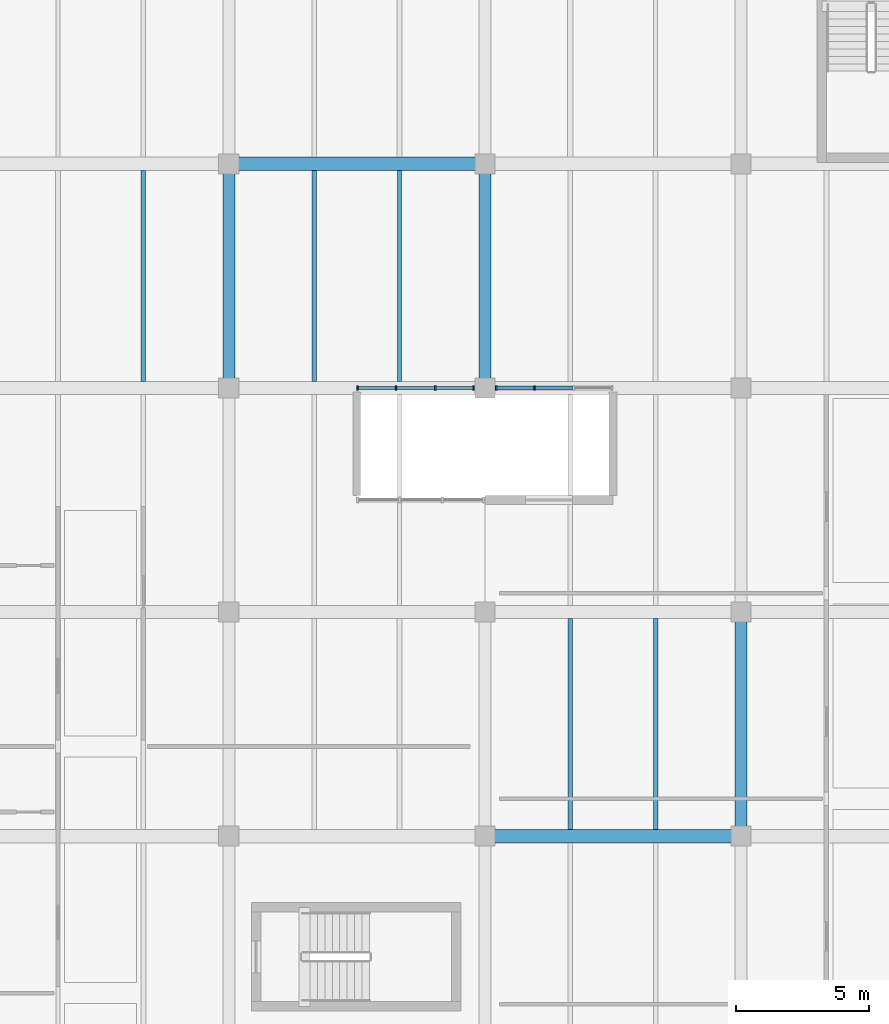
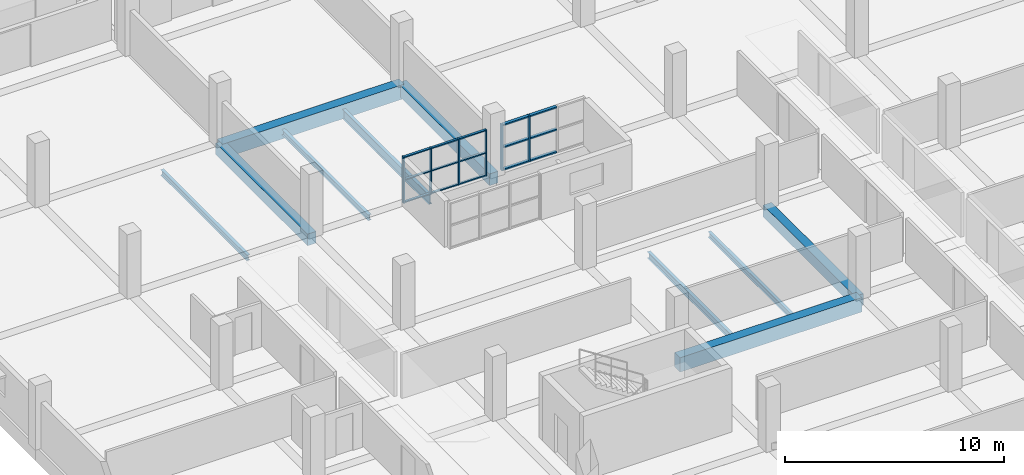
# One storey, part 33 of 147: 21 members, 10 beams, 2 elements without a shape of their own.
"""IFC4 building model written with IfcOpenShell, lengths in metres."""

from ifc_helpers import new_model, si_unit, direction, frame, origin, origin_2d, place, context, subcontext, project, spatial, rectangle, i_section, extrude, material, material_profile, profile_set, type_object, element, aggregate, save


model = new_model("IFC4")

# Units and contexts
model_context = context("Model", 3, precision=1e-05, world=origin(), true_north=direction((0.0, 1.0)))
body_context = subcontext(model_context, "Body", "Model", "MODEL_VIEW")
ifc_project = project(units=[si_unit("LENGTHUNIT", "METRE"), si_unit("AREAUNIT", "SQUARE_METRE"), si_unit("VOLUMEUNIT", "CUBIC_METRE"), si_unit("PLANEANGLEUNIT", "RADIAN"), si_unit("MASSUNIT", "GRAM", prefix="KILO")], contexts=[model_context])

# Site, building, storey
site_placement = place(None, origin())
site = spatial("IfcSite", under=ifc_project, at=site_placement, CompositionType="ELEMENT")
building_placement = place(site_placement, origin())
building = spatial("IfcBuilding", under=site, at=building_placement, Name="Oolite Switchyard Hospital", CompositionType="ELEMENT")
storey_placement = place(building_placement, frame((0.0, 0.0, 9.89990234375)))
storey = spatial("IfcBuildingStorey", under=building, at=storey_placement, Name="L02", CompositionType="ELEMENT", Elevation=9.89990234375)

# Beams
ifc_material_1 = material(Name="Concrete C40/50", Category="concrete")
ifc_material_profile_1 = material_profile(ifc_material_1, rectangle(XDim=0.449951171875, YDim=0.64990234375, at=origin_2d()), Name="RCB450X650")
ifc_profile_set_1 = profile_set([ifc_material_profile_1], Name="Concrete C40/50")
beam_type_1 = type_object("IfcBeamType", Name="BM-RC450X650", PredefinedType="BEAM", material=ifc_profile_set_1)
for number, where, z_axis, x_axis, name in (
    (1, (19.199951171875, 84.0, -0.324951171875), (0.0, 1.0, 0.0), (-1.0, 0.0, 0.0), "L02 Y-Girder 1287"),
    (2, (28.800048828125, 84.0, -0.324951171875), (0.0, 1.0, 0.0), (-1.0, 0.0, 0.0), "L02 Y-Girder 1302"),
):
    element("IfcBeam", number, at=place(storey_placement, frame(where, z_axis=z_axis, x_axis=x_axis)), inside=storey, type_object=beam_type_1, Name=name, PredefinedType="BEAM", context=body_context, shape_type="SweptSolid", body=[
        extrude(rectangle(XDim=0.449951171875, YDim=0.64990234375, at=origin_2d()), origin(), (0.0, 0.0, 1.0), 8.39990234375),
    ])
beam_1_placement = place(storey_placement, frame((38.39990234375, 67.199951171875, -0.324951171875), z_axis=(0.0, 1.0, 0.0), x_axis=(-1.0, 0.0, 0.0)))
element("IfcBeam", 3, at=beam_1_placement, inside=storey, type_object=beam_type_1, Name="L02 Y-Girder 1316", PredefinedType="BEAM", context=body_context, shape_type="SweptSolid", body=[
    extrude(rectangle(XDim=0.449951171875, YDim=0.64990234375, at=origin_2d()), origin(), (0.0, 0.0, 1.0), 8.400146484375),
])
ifc_material_profile_2 = material_profile(ifc_material_1, rectangle(XDim=0.5, YDim=0.800048828125, at=origin_2d()), Name="RCB500X800")
ifc_profile_set_2 = profile_set([ifc_material_profile_2], Name="Concrete C40/50")
beam_type_2 = type_object("IfcBeamType", Name="BM-RC500X800", PredefinedType="BEAM", material=ifc_profile_set_2)
beam_2_placement = place(storey_placement, frame((28.800048828125, 67.199951171875, -0.39990234375), z_axis=(1.0, 0.0, 0.0), x_axis=(0.0, 1.0, 0.0)))
element("IfcBeam", 4, at=beam_2_placement, inside=storey, type_object=beam_type_2, Name="L02 X-Girder 1097", PredefinedType="BEAM", context=body_context, shape_type="SweptSolid", body=[
    extrude(rectangle(XDim=0.5, YDim=0.800048828125, at=origin_2d()), origin(), (0.0, 0.0, 1.0), 9.599853515625),
])
beam_3_placement = place(storey_placement, frame((19.199951171875, 92.39990234375, -0.39990234375), z_axis=(1.0, 0.0, 0.0), x_axis=(0.0, 1.0, 0.0)))
element("IfcBeam", 5, at=beam_3_placement, inside=storey, type_object=beam_type_2, Name="L02 X-Girder 1144", PredefinedType="BEAM", context=body_context, shape_type="SweptSolid", body=[
    extrude(rectangle(XDim=0.5, YDim=0.800048828125, at=origin_2d()), origin(), (0.0, 0.0, 1.0), 9.60009765625),
])
ifc_material_2 = material(Name="Steel ASTM A992 Grade 50", Category="steel")
ifc_material_profile_3 = material_profile(ifc_material_2, i_section(OverallWidth=0.1650390625, OverallDepth=0.31005859375, WebThickness=0.006103515625, FlangeThickness=0.010009765625, at=origin_2d()), Name="W12X26")
ifc_profile_set_3 = profile_set([ifc_material_profile_3], Name="Steel ASTM A992 Grade 50")
beam_type_3 = type_object("IfcBeamType", Name="BM-W12X26", PredefinedType="JOIST", material=ifc_profile_set_3)
for number, where, z_axis, x_axis, name in (
    (6, (16.0, 84.25, -0.414794921875), (0.0, 1.0, 0.0), (-1.0, 0.0, 0.0), "L02 Secondary Steel Joist 1553"),
    (7, (22.39990234375, 84.25, -0.414794921875), (0.0, 1.0, 0.0), (-1.0, 0.0, 0.0), "L02 Secondary Steel Joist 1580"),
):
    element("IfcBeam", number, at=place(storey_placement, frame(where, z_axis=z_axis, x_axis=x_axis)), inside=storey, type_object=beam_type_3, Name=name, PredefinedType="JOIST", context=body_context, shape_type="SweptSolid", body=[
        extrude(i_section(OverallWidth=0.1650390625, OverallDepth=0.31005859375, WebThickness=0.006103515625, FlangeThickness=0.010009765625, at=origin_2d()), origin(), (0.0, 0.0, 1.0), 7.89990234375),
    ])
beam_4_placement = place(storey_placement, frame((35.199951171875, 67.449951171875, -0.414794921875), z_axis=(0.0, 1.0, 0.0), x_axis=(-1.0, 0.0, 0.0)))
element("IfcBeam", 8, at=beam_4_placement, inside=storey, type_object=beam_type_3, Name="L02 Secondary Steel Joist 1609", PredefinedType="JOIST", context=body_context, shape_type="SweptSolid", body=[
    extrude(i_section(OverallWidth=0.1650390625, OverallDepth=0.31005859375, WebThickness=0.006103515625, FlangeThickness=0.010009765625, at=origin_2d()), origin(), (0.0, 0.0, 1.0), 7.900146484375),
])
ifc_material_profile_4 = material_profile(ifc_material_2, i_section(OverallWidth=0.1708984375, OverallDepth=0.35107421875, WebThickness=0.007080078125, FlangeThickness=0.010009765625, at=origin_2d()), Name="W14X30")
ifc_profile_set_4 = profile_set([ifc_material_profile_4], Name="Steel ASTM A992 Grade 50")
beam_type_4 = type_object("IfcBeamType", Name="BM-W14X30", PredefinedType="JOIST", material=ifc_profile_set_4)
beam_5_placement = place(storey_placement, frame((32.0, 67.449951171875, -0.434814453125), z_axis=(0.0, 1.0, 0.0), x_axis=(-1.0, 0.0, 0.0)))
element("IfcBeam", 9, at=beam_5_placement, inside=storey, type_object=beam_type_4, Name="L02 Secondary Steel Joist 1608", PredefinedType="JOIST", context=body_context, shape_type="SweptSolid", body=[
    extrude(i_section(OverallWidth=0.1708984375, OverallDepth=0.35107421875, WebThickness=0.007080078125, FlangeThickness=0.010009765625, at=origin_2d()), origin(), (0.0, 0.0, 1.0), 7.900146484375),
])
ifc_material_profile_5 = material_profile(ifc_material_2, i_section(OverallWidth=0.166015625, OverallDepth=0.529052734375, WebThickness=0.010009765625, FlangeThickness=0.013916015625, at=origin_2d()), Name="W21X50")
ifc_profile_set_5 = profile_set([ifc_material_profile_5], Name="Steel ASTM A992 Grade 50")
beam_type_5 = type_object("IfcBeamType", Name="BM-W21X50", PredefinedType="JOIST", material=ifc_profile_set_5)
beam_6_placement = place(storey_placement, frame((25.60009765625, 84.25, -0.52392578125), z_axis=(0.0, 1.0, 0.0), x_axis=(-1.0, 0.0, 0.0)))
element("IfcBeam", 10, at=beam_6_placement, inside=storey, type_object=beam_type_5, Name="L02 Secondary Steel Joist 1581", PredefinedType="JOIST", context=body_context, shape_type="SweptSolid", body=[
    extrude(i_section(OverallWidth=0.166015625, OverallDepth=0.529052734375, WebThickness=0.010009765625, FlangeThickness=0.013916015625, at=origin_2d()), origin(), (0.0, 0.0, 1.0), 7.89990234375),
])

# Curtain wall, members
ifc_material_3 = material(Name="Thermally broken aluminum frame with laminated impact glazing", Category="aluminium")
curtain_wall_type = type_object("IfcCurtainWallType", Name="CW-UNIT-84X36", PredefinedType="USERDEFINED", material=ifc_material_3)
curtain_wall_1_placement = place(storey_placement, origin())
curtain_wall_1 = element("IfcCurtainWall", 11, at=curtain_wall_1_placement, inside=storey, type_object=curtain_wall_type, Name="L02 Unitised Curtain Wall 250", ObjectType="UNITISED", PredefinedType="USERDEFINED")
ifc_material_4 = material(Name="Aluminium 6063-T6", Category="aluminium")
ifc_material_profile_6 = material_profile(ifc_material_4, rectangle(XDim=0.159912109375, YDim=0.06005859375, at=origin_2d()), Name="CWM60X160")
ifc_profile_set_6 = profile_set([ifc_material_profile_6], Name="Aluminium 6063-T6")
member_type_1 = type_object("IfcMemberType", Name="CW-MUL-180", PredefinedType="MULLION", material=ifc_profile_set_6)
member_1_placement = place(storey_placement, frame((28.3798828125, 84.0, 0.0), z_axis=(0.0, 0.0, 1.0), x_axis=(0.0, -1.0, 0.0)))
member_1 = element("IfcMember", 12, at=member_1_placement, type_object=member_type_1, Name="CW-08 mullion 1", PredefinedType="MULLION", context=body_context, shape_type="SweptSolid", body=[
    extrude(rectangle(XDim=0.159912109375, YDim=0.06005859375, at=origin_2d()), origin(), (0.0, 0.0, 1.0), 2.570068359375),
])
member_2_placement = place(storey_placement, frame((26.93994140625, 84.0, 0.0), z_axis=(0.0, 0.0, 1.0), x_axis=(0.0, -1.0, 0.0)))
member_2 = element("IfcMember", 13, at=member_2_placement, type_object=member_type_1, Name="CW-08 mullion 2", PredefinedType="MULLION", context=body_context, shape_type="SweptSolid", body=[
    extrude(rectangle(XDim=0.159912109375, YDim=0.06005859375, at=origin_2d()), origin(), (0.0, 0.0, 1.0), 2.570068359375),
])
member_3_placement = place(storey_placement, frame((25.469970703125, 84.0, 0.0), z_axis=(0.0, 0.0, 1.0), x_axis=(0.0, -1.0, 0.0)))
member_3 = element("IfcMember", 14, at=member_3_placement, type_object=member_type_1, Name="CW-08 mullion 3", PredefinedType="MULLION", context=body_context, shape_type="SweptSolid", body=[
    extrude(rectangle(XDim=0.159912109375, YDim=0.06005859375, at=origin_2d()), origin(), (0.0, 0.0, 1.0), 2.570068359375),
])
member_4_placement = place(storey_placement, frame((24.030029296875, 84.0, 0.0), z_axis=(0.0, 0.0, 1.0), x_axis=(0.0, -1.0, 0.0)))
member_4 = element("IfcMember", 15, at=member_4_placement, type_object=member_type_1, Name="CW-08 mullion 4", PredefinedType="MULLION", context=body_context, shape_type="SweptSolid", body=[
    extrude(rectangle(XDim=0.159912109375, YDim=0.06005859375, at=origin_2d()), origin(), (0.0, 0.0, 1.0), 2.570068359375),
])

curtain_wall_2_placement = place(storey_placement, origin())
curtain_wall_2 = element("IfcCurtainWall", 16, at=curtain_wall_2_placement, inside=storey, type_object=curtain_wall_type, Name="L02 Unitised Curtain Wall 251", ObjectType="UNITISED", PredefinedType="USERDEFINED")
ifc_material_profile_7 = material_profile(ifc_material_4, rectangle(XDim=0.179931640625, YDim=0.070068359375, at=origin_2d()), Name="CWM70X180")
ifc_profile_set_7 = profile_set([ifc_material_profile_7], Name="Aluminium 6063-T6")
member_type_2 = type_object("IfcMemberType", Name="CW-MUL-220", PredefinedType="MULLION", material=ifc_profile_set_7)
member_5_placement = place(storey_placement, frame((30.659912109375, 84.0, 0.0), z_axis=(0.0, 0.0, 1.0), x_axis=(0.0, -1.0, 0.0)))
member_5 = element("IfcMember", 17, at=member_5_placement, type_object=member_type_2, Name="CW-08 mullion 3", PredefinedType="MULLION", context=body_context, shape_type="SweptSolid", body=[
    extrude(rectangle(XDim=0.179931640625, YDim=0.070068359375, at=origin_2d()), origin(), (0.0, 0.0, 1.0), 2.570068359375),
])
member_6_placement = place(storey_placement, frame((29.22509765625, 84.0, 0.0), z_axis=(0.0, 0.0, 1.0), x_axis=(0.0, -1.0, 0.0)))
member_6 = element("IfcMember", 18, at=member_6_placement, type_object=member_type_2, Name="CW-08 mullion 4", PredefinedType="MULLION", context=body_context, shape_type="SweptSolid", body=[
    extrude(rectangle(XDim=0.179931640625, YDim=0.070068359375, at=origin_2d()), origin(), (0.0, 0.0, 1.0), 2.570068359375),
])

# Member
ifc_material_profile_8 = material_profile(ifc_material_4, rectangle(XDim=0.1201171875, YDim=0.06005859375, at=origin_2d()), Name="CWT60X120")
ifc_profile_set_8 = profile_set([ifc_material_profile_8], Name="Aluminium 6063-T6")
member_type_3 = type_object("IfcMemberType", Name="CW-TRN-150", PredefinedType="USERDEFINED", material=ifc_profile_set_8)
member_7_placement = place(storey_placement, frame((28.35009765625, 84.0, 0.030029296875), z_axis=(-1.0, 0.0, 0.0), x_axis=(0.0, -1.0, 0.0)))
member_7 = element("IfcMember", 19, at=member_7_placement, type_object=member_type_3, Name="CW-08 transom 1.1", ObjectType="TRANSOM", PredefinedType="USERDEFINED", context=body_context, shape_type="SweptSolid", body=[
    extrude(rectangle(XDim=0.1201171875, YDim=0.06005859375, at=origin_2d()), origin(), (0.0, 0.0, 1.0), 1.380126953125),
])

member_8_placement = place(storey_placement, frame((28.35009765625, 84.0, 1.28515625), z_axis=(-1.0, 0.0, 0.0), x_axis=(0.0, -1.0, 0.0)))
member_8 = element("IfcMember", 20, at=member_8_placement, type_object=member_type_3, Name="CW-08 transom 1.2", ObjectType="TRANSOM", PredefinedType="USERDEFINED", context=body_context, shape_type="SweptSolid", body=[
    extrude(rectangle(XDim=0.1201171875, YDim=0.06005859375, at=origin_2d()), origin(), (0.0, 0.0, 1.0), 1.380126953125),
])

member_9_placement = place(storey_placement, frame((28.35009765625, 84.0, 2.5400390625), z_axis=(-1.0, 0.0, 0.0), x_axis=(0.0, -1.0, 0.0)))
member_9 = element("IfcMember", 21, at=member_9_placement, type_object=member_type_3, Name="CW-08 transom 1.3", ObjectType="TRANSOM", PredefinedType="USERDEFINED", context=body_context, shape_type="SweptSolid", body=[
    extrude(rectangle(XDim=0.1201171875, YDim=0.06005859375, at=origin_2d()), origin(), (0.0, 0.0, 1.0), 1.380126953125),
])

member_10_placement = place(storey_placement, frame((26.909912109375, 84.0, 0.030029296875), z_axis=(-1.0, 0.0, 0.0), x_axis=(0.0, -1.0, 0.0)))
member_10 = element("IfcMember", 22, at=member_10_placement, type_object=member_type_3, Name="CW-08 transom 2.1", ObjectType="TRANSOM", PredefinedType="USERDEFINED", context=body_context, shape_type="SweptSolid", body=[
    extrude(rectangle(XDim=0.1201171875, YDim=0.06005859375, at=origin_2d()), origin(), (0.0, 0.0, 1.0), 1.409912109375),
])

member_11_placement = place(storey_placement, frame((26.909912109375, 84.0, 1.28515625), z_axis=(-1.0, 0.0, 0.0), x_axis=(0.0, -1.0, 0.0)))
member_11 = element("IfcMember", 23, at=member_11_placement, type_object=member_type_3, Name="CW-08 transom 2.2", ObjectType="TRANSOM", PredefinedType="USERDEFINED", context=body_context, shape_type="SweptSolid", body=[
    extrude(rectangle(XDim=0.1201171875, YDim=0.06005859375, at=origin_2d()), origin(), (0.0, 0.0, 1.0), 1.409912109375),
])

member_12_placement = place(storey_placement, frame((26.909912109375, 84.0, 2.5400390625), z_axis=(-1.0, 0.0, 0.0), x_axis=(0.0, -1.0, 0.0)))
member_12 = element("IfcMember", 24, at=member_12_placement, type_object=member_type_3, Name="CW-08 transom 2.3", ObjectType="TRANSOM", PredefinedType="USERDEFINED", context=body_context, shape_type="SweptSolid", body=[
    extrude(rectangle(XDim=0.1201171875, YDim=0.06005859375, at=origin_2d()), origin(), (0.0, 0.0, 1.0), 1.409912109375),
])

member_13_placement = place(storey_placement, frame((25.43994140625, 84.0, 0.030029296875), z_axis=(-1.0, 0.0, 0.0), x_axis=(0.0, -1.0, 0.0)))
member_13 = element("IfcMember", 25, at=member_13_placement, type_object=member_type_3, Name="CW-08 transom 3.1", ObjectType="TRANSOM", PredefinedType="USERDEFINED", context=body_context, shape_type="SweptSolid", body=[
    extrude(rectangle(XDim=0.1201171875, YDim=0.06005859375, at=origin_2d()), origin(), (0.0, 0.0, 1.0), 1.3798828125),
])

member_14_placement = place(storey_placement, frame((25.43994140625, 84.0, 1.28515625), z_axis=(-1.0, 0.0, 0.0), x_axis=(0.0, -1.0, 0.0)))
member_14 = element("IfcMember", 26, at=member_14_placement, type_object=member_type_3, Name="CW-08 transom 3.2", ObjectType="TRANSOM", PredefinedType="USERDEFINED", context=body_context, shape_type="SweptSolid", body=[
    extrude(rectangle(XDim=0.1201171875, YDim=0.06005859375, at=origin_2d()), origin(), (0.0, 0.0, 1.0), 1.3798828125),
])

member_15_placement = place(storey_placement, frame((25.43994140625, 84.0, 2.5400390625), z_axis=(-1.0, 0.0, 0.0), x_axis=(0.0, -1.0, 0.0)))
member_15 = element("IfcMember", 27, at=member_15_placement, type_object=member_type_3, Name="CW-08 transom 3.3", ObjectType="TRANSOM", PredefinedType="USERDEFINED", context=body_context, shape_type="SweptSolid", body=[
    extrude(rectangle(XDim=0.1201171875, YDim=0.06005859375, at=origin_2d()), origin(), (0.0, 0.0, 1.0), 1.3798828125),
])

aggregate(curtain_wall_1, [member_1, member_2, member_3, member_4, member_7, member_8, member_9, member_10, member_11, member_12, member_13, member_14, member_15])

ifc_material_profile_9 = material_profile(ifc_material_4, rectangle(XDim=0.159912109375, YDim=0.074951171875, at=origin_2d()), Name="CWT75X160")
ifc_profile_set_9 = profile_set([ifc_material_profile_9], Name="Aluminium 6063-T6")
member_type_4 = type_object("IfcMemberType", Name="CW-TRN-180", PredefinedType="USERDEFINED", material=ifc_profile_set_9)
member_16_placement = place(storey_placement, frame((32.094970703125, 84.0, 0.03759765625), z_axis=(-1.0, 0.0, 0.0), x_axis=(0.0, -1.0, 0.0)))
member_16 = element("IfcMember", 28, at=member_16_placement, type_object=member_type_4, Name="CW-08 transom 2.1", ObjectType="TRANSOM", PredefinedType="USERDEFINED", context=body_context, shape_type="SweptSolid", body=[
    extrude(rectangle(XDim=0.159912109375, YDim=0.074951171875, at=origin_2d()), origin(), (0.0, 0.0, 1.0), 1.39990234375),
])

member_17_placement = place(storey_placement, frame((32.094970703125, 84.0, 1.28515625), z_axis=(-1.0, 0.0, 0.0), x_axis=(0.0, -1.0, 0.0)))
member_17 = element("IfcMember", 29, at=member_17_placement, type_object=member_type_4, Name="CW-08 transom 2.2", ObjectType="TRANSOM", PredefinedType="USERDEFINED", context=body_context, shape_type="SweptSolid", body=[
    extrude(rectangle(XDim=0.159912109375, YDim=0.074951171875, at=origin_2d()), origin(), (0.0, 0.0, 1.0), 1.39990234375),
])

member_18_placement = place(storey_placement, frame((32.094970703125, 84.0, 2.53271484375), z_axis=(-1.0, 0.0, 0.0), x_axis=(0.0, -1.0, 0.0)))
member_18 = element("IfcMember", 30, at=member_18_placement, type_object=member_type_4, Name="CW-08 transom 2.3", ObjectType="TRANSOM", PredefinedType="USERDEFINED", context=body_context, shape_type="SweptSolid", body=[
    extrude(rectangle(XDim=0.159912109375, YDim=0.074951171875, at=origin_2d()), origin(), (0.0, 0.0, 1.0), 1.39990234375),
])

member_19_placement = place(storey_placement, frame((30.625, 84.0, 0.03759765625), z_axis=(-1.0, 0.0, 0.0), x_axis=(0.0, -1.0, 0.0)))
member_19 = element("IfcMember", 31, at=member_19_placement, type_object=member_type_4, Name="CW-08 transom 3.1", ObjectType="TRANSOM", PredefinedType="USERDEFINED", context=body_context, shape_type="SweptSolid", body=[
    extrude(rectangle(XDim=0.159912109375, YDim=0.074951171875, at=origin_2d()), origin(), (0.0, 0.0, 1.0), 1.364990234375),
])

member_20_placement = place(storey_placement, frame((30.625, 84.0, 1.28515625), z_axis=(-1.0, 0.0, 0.0), x_axis=(0.0, -1.0, 0.0)))
member_20 = element("IfcMember", 32, at=member_20_placement, type_object=member_type_4, Name="CW-08 transom 3.2", ObjectType="TRANSOM", PredefinedType="USERDEFINED", context=body_context, shape_type="SweptSolid", body=[
    extrude(rectangle(XDim=0.159912109375, YDim=0.074951171875, at=origin_2d()), origin(), (0.0, 0.0, 1.0), 1.364990234375),
])

member_21_placement = place(storey_placement, frame((30.625, 84.0, 2.53271484375), z_axis=(-1.0, 0.0, 0.0), x_axis=(0.0, -1.0, 0.0)))
member_21 = element("IfcMember", 33, at=member_21_placement, type_object=member_type_4, Name="CW-08 transom 3.3", ObjectType="TRANSOM", PredefinedType="USERDEFINED", context=body_context, shape_type="SweptSolid", body=[
    extrude(rectangle(XDim=0.159912109375, YDim=0.074951171875, at=origin_2d()), origin(), (0.0, 0.0, 1.0), 1.364990234375),
])

aggregate(curtain_wall_2, [member_5, member_6, member_16, member_17, member_18, member_19, member_20, member_21])

save(model, "model.ifc")
